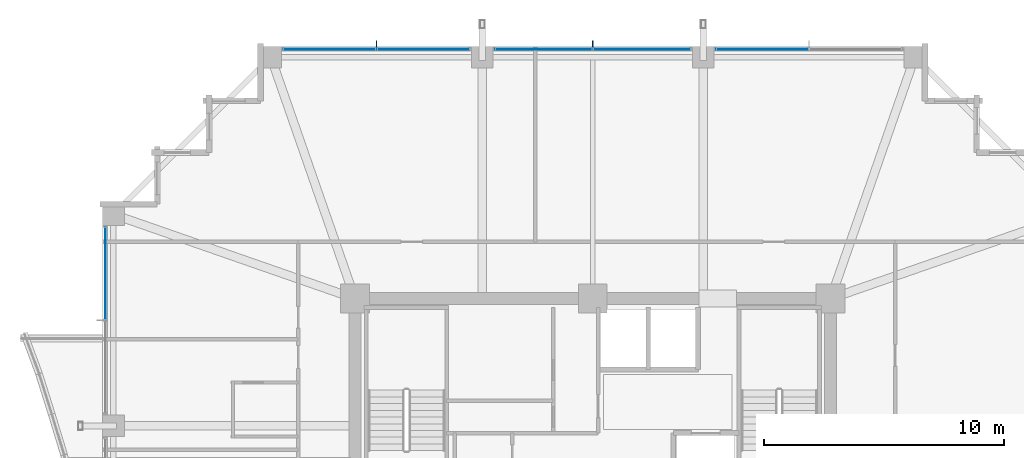
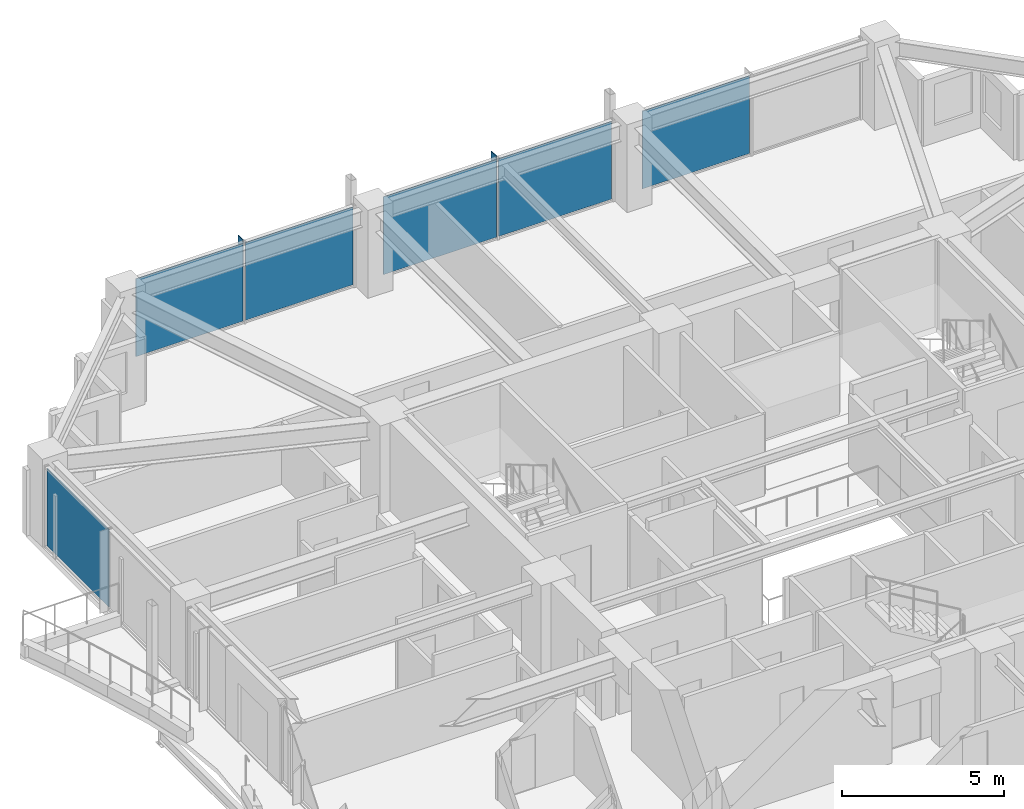
# One storey, part 27 of 35: 8 plates, 4 elements without a shape of their own.
"""IFC4 building model written with IfcOpenShell, lengths in metres."""

from ifc_helpers import new_model, si_unit, direction, frame, origin, origin_2d, place, context, subcontext, project, spatial, rectangle, extrude, material, layer, layer_set, type_object, element, aggregate, save


model = new_model("IFC4")

# Units and contexts
model_context = context("Model", 3, precision=1e-05, world=origin(), true_north=direction((0.0, 1.0)))
body_context = subcontext(model_context, "Body", "Model", "MODEL_VIEW")
ifc_project = project(units=[si_unit("LENGTHUNIT", "METRE"), si_unit("AREAUNIT", "SQUARE_METRE"), si_unit("VOLUMEUNIT", "CUBIC_METRE"), si_unit("PLANEANGLEUNIT", "RADIAN"), si_unit("MASSUNIT", "GRAM", prefix="KILO")], contexts=[model_context])

# Site, building, storey
site_placement = place(None, origin())
site = spatial("IfcSite", under=ifc_project, at=site_placement, CompositionType="ELEMENT")
building_placement = place(site_placement, origin())
building = spatial("IfcBuilding", under=site, at=building_placement, Name="Kolvaren Belvedere", CompositionType="ELEMENT")
storey_placement = place(building_placement, frame((0.0, 0.0, 183.300048828125)))
storey = spatial("IfcBuildingStorey", under=building, at=storey_placement, Name="L53", CompositionType="ELEMENT", Elevation=183.300048828125)

# Curtain wall, plates
ifc_material_1 = material(Name="Anodised pale-metal aluminium AA 6063-T6", Category="aluminium")
curtain_wall_type = type_object("IfcCurtainWallType", Name="CW-Z5-HIGH", PredefinedType="NOTDEFINED", material=ifc_material_1)
curtain_wall_1_placement = place(storey_placement, origin())
curtain_wall_1 = element("IfcCurtainWall", 1, at=curtain_wall_1_placement, inside=storey, type_object=curtain_wall_type, Name="L53 Unitised Curtain Wall FCW-L53-N-B1", PredefinedType="NOTDEFINED")
ifc_material_2 = material(Name="Low-iron triple insulated glass", Category="glass")
ifc_layer_1 = layer(ifc_material_2, 0.028076171875)
ifc_layer_set_1 = layer_set([ifc_layer_1], Name="Low-iron triple insulated glass")
plate_type_1 = type_object("IfcPlateType", Name="CW-PNL-VIS28", PredefinedType="CURTAIN_PANEL", material=ifc_layer_set_1)
plate_1_placement = place(storey_placement, frame((-10.947509765625, 20.280029296875, 0.080078125), z_axis=(0.0, 0.0, 1.0), x_axis=(1.0, 0.0, 0.0)))
plate_1 = element("IfcPlate", 2, at=plate_1_placement, type_object=plate_type_1, Name="FCW-L53-N-B1 Vision Glazing Panel 1", PredefinedType="CURTAIN_PANEL", context=body_context, shape_type="SweptSolid", body=[
    extrude(rectangle(XDim=3.81494140625, YDim=0.028076171875, at=origin_2d()), origin(), (0.0, 0.0, 1.0), 2.919921875),
])
plate_2_placement = place(storey_placement, frame((-7.052490234375, 20.280029296875, 0.080078125), z_axis=(0.0, 0.0, 1.0), x_axis=(1.0, 0.0, 0.0)))
plate_2 = element("IfcPlate", 3, at=plate_2_placement, type_object=plate_type_1, Name="FCW-L53-N-B1 Vision Glazing Panel 2", PredefinedType="CURTAIN_PANEL", context=body_context, shape_type="SweptSolid", body=[
    extrude(rectangle(XDim=3.81494140625, YDim=0.028076171875, at=origin_2d()), origin(), (0.0, 0.0, 1.0), 2.919921875),
])
aggregate(curtain_wall_1, [plate_1, plate_2])

curtain_wall_2_placement = place(storey_placement, origin())
curtain_wall_2 = element("IfcCurtainWall", 4, at=curtain_wall_2_placement, inside=storey, type_object=curtain_wall_type, Name="L53 Unitised Curtain Wall FCW-L53-N-B2", PredefinedType="NOTDEFINED")
plate_3_placement = place(storey_placement, frame((-2.047607421875, 20.280029296875, 0.080078125), z_axis=(0.0, 0.0, 1.0), x_axis=(1.0, 0.0, 0.0)))
plate_3 = element("IfcPlate", 5, at=plate_3_placement, type_object=plate_type_1, Name="FCW-L53-N-B2 Vision Glazing Panel 1", PredefinedType="CURTAIN_PANEL", context=body_context, shape_type="SweptSolid", body=[
    extrude(rectangle(XDim=4.014892578125, YDim=0.028076171875, at=origin_2d()), origin(), (0.0, 0.0, 1.0), 2.919921875),
])
plate_4_placement = place(storey_placement, frame((2.047607421875, 20.280029296875, 0.080078125), z_axis=(0.0, 0.0, 1.0), x_axis=(1.0, 0.0, 0.0)))
plate_4 = element("IfcPlate", 6, at=plate_4_placement, type_object=plate_type_1, Name="FCW-L53-N-B2 Vision Glazing Panel 2", PredefinedType="CURTAIN_PANEL", context=body_context, shape_type="SweptSolid", body=[
    extrude(rectangle(XDim=4.014892578125, YDim=0.028076171875, at=origin_2d()), origin(), (0.0, 0.0, 1.0), 2.919921875),
])
aggregate(curtain_wall_2, [plate_3, plate_4])

# Curtain wall, plate
curtain_wall_3_placement = place(storey_placement, origin())
curtain_wall_3 = element("IfcCurtainWall", 7, at=curtain_wall_3_placement, inside=storey, type_object=curtain_wall_type, Name="L53 Unitised Curtain Wall FCW-L53-N-B3", PredefinedType="NOTDEFINED")
plate_5_placement = place(storey_placement, frame((7.052490234375, 20.280029296875, 0.080078125), z_axis=(0.0, 0.0, 1.0), x_axis=(1.0, 0.0, 0.0)))
plate_5 = element("IfcPlate", 8, at=plate_5_placement, type_object=plate_type_1, Name="FCW-L53-N-B3 Vision Glazing Panel 1", PredefinedType="CURTAIN_PANEL", context=body_context, shape_type="SweptSolid", body=[
    extrude(rectangle(XDim=3.81494140625, YDim=0.028076171875, at=origin_2d()), origin(), (0.0, 0.0, 1.0), 2.919921875),
])
aggregate(curtain_wall_3, [plate_5])

curtain_wall_4_placement = place(storey_placement, origin())
curtain_wall_4 = element("IfcCurtainWall", 9, at=curtain_wall_4_placement, inside=storey, type_object=curtain_wall_type, Name="L53 Unitised Curtain Wall FCW-L53-W2-B2", PredefinedType="NOTDEFINED")
plate_6_placement = place(storey_placement, frame((-20.280029296875, 10.947509765625, 0.080078125), z_axis=(0.0, 0.0, 1.0), x_axis=(0.0, 1.0, 0.0)))
plate_6 = element("IfcPlate", 10, at=plate_6_placement, type_object=plate_type_1, Name="FCW-L53-W2-B2 Vision Glazing Panel 2", PredefinedType="CURTAIN_PANEL", context=body_context, shape_type="SweptSolid", body=[
    extrude(rectangle(XDim=3.81494140625, YDim=0.028076171875, at=origin_2d()), origin(), (0.0, 0.0, 1.0), 2.919921875),
])
aggregate(curtain_wall_4, [plate_6])

# Plates
ifc_material_3 = material(Name="Anodised pale-metal aluminium AA 6063-T6", Category="aluminium")
ifc_layer_2 = layer(ifc_material_3, 0.030029296875)
ifc_layer_set_2 = layer_set([ifc_layer_2], Name="Anodised pale-metal aluminium AA 6063-T6")
plate_type_2 = type_object("IfcPlateType", Name="FIN-VERT-300", PredefinedType="USERDEFINED", material=ifc_layer_set_2)
for number, where, z_axis, x_axis, name in (
    (11, (-9.0, 20.489990234375, 0.0), (0.0, 0.0, 1.0), (0.0, 1.0, 0.0), "L53 Pale-Metal Vertical Shading Fin FCW-L53-N-B1-1"),
    (12, (0.0, 20.489990234375, 0.0), (0.0, 0.0, 1.0), (0.0, 1.0, 0.0), "L53 Pale-Metal Vertical Shading Fin FCW-L53-N-B2-1"),
):
    element("IfcPlate", number, at=place(storey_placement, frame(where, z_axis=z_axis, x_axis=x_axis)), inside=storey, type_object=plate_type_2, Name=name, ObjectType="VERTICAL FIN", PredefinedType="USERDEFINED", context=body_context, shape_type="SweptSolid", body=[
        extrude(rectangle(XDim=0.300048828125, YDim=0.030029296875, at=origin_2d()), origin(), (0.0, 0.0, 1.0), 3.080078125),
    ])

save(model, "model.ifc")
